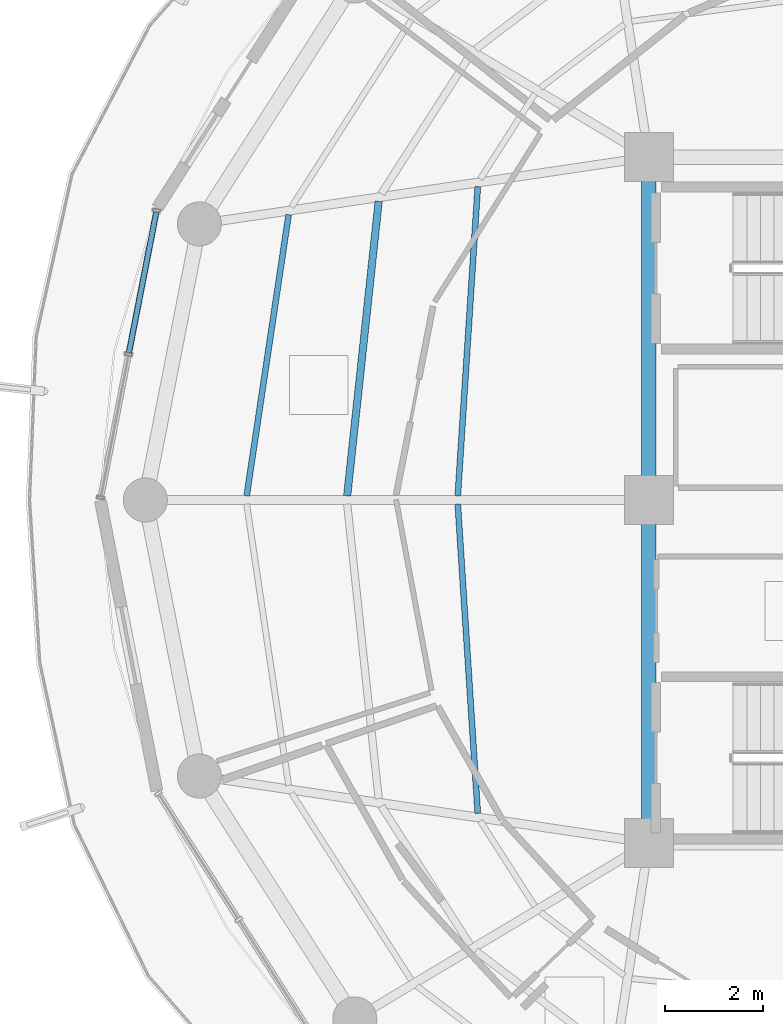
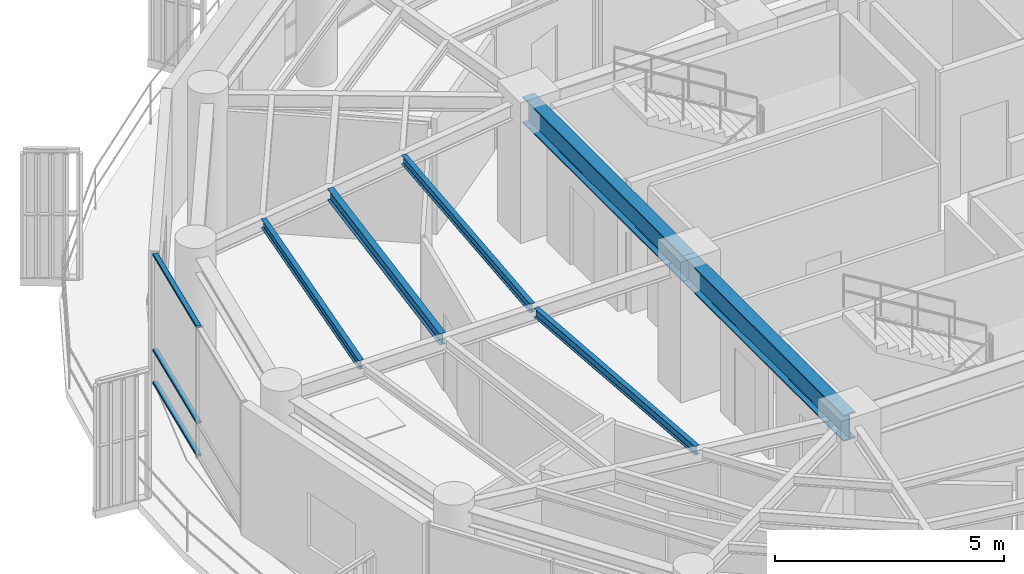
# One storey, part 6 of 22: 6 beams, 3 members, 1 element without a shape of its own.
"""IFC4 building model written with IfcOpenShell, lengths in metres."""

from ifc_helpers import new_model, si_unit, direction, frame, origin, origin_2d, place, context, subcontext, project, spatial, hollow_rectangle, i_section, extrude, material, layer, layer_set, material_profile, profile_set, type_object, element, aggregate, save


model = new_model("IFC4")

# Units and contexts
model_context = context("Model", 3, precision=1e-05, world=origin(), true_north=direction((0.0, 1.0)))
body_context = subcontext(model_context, "Body", "Model", "MODEL_VIEW")
ifc_project = project(units=[si_unit("LENGTHUNIT", "METRE"), si_unit("AREAUNIT", "SQUARE_METRE"), si_unit("VOLUMEUNIT", "CUBIC_METRE"), si_unit("PLANEANGLEUNIT", "RADIAN"), si_unit("MASSUNIT", "GRAM", prefix="KILO")], contexts=[model_context])

# Site, building, storey
site_placement = place(None, origin())
site = spatial("IfcSite", under=ifc_project, at=site_placement, CompositionType="ELEMENT")
building_placement = place(site_placement, origin())
building = spatial("IfcBuilding", under=site, at=building_placement, Name="Kelanora Arch Commons", CompositionType="ELEMENT")
storey_placement = place(building_placement, frame((0.0, 0.0, 274.949951171875)))
storey = spatial("IfcBuildingStorey", under=building, at=storey_placement, Name="L70", CompositionType="ELEMENT", Elevation=274.949951171875)

# Beams
ifc_material_1 = material(Name="Steel S355", Category="steel")
ifc_material_profile_1 = material_profile(ifc_material_1, i_section(OverallWidth=0.300048828125, OverallDepth=0.699951171875, WebThickness=0.01708984375, FlangeThickness=0.031982421875, FilletRadius=0.027099609375, at=origin_2d()), Name="HEB700")
ifc_profile_set_1 = profile_set([ifc_material_profile_1], Name="Steel S355")
beam_type_1 = type_object("IfcBeamType", Name="BM-CORE-HDR", PredefinedType="BEAM", material=ifc_profile_set_1)
for number, where, z_axis, x_axis, name in (
    (1, (66.0, 65.0, 3.14013671875), (0.0, -1.0, 0.0), (1.0, 0.0, 0.0), "Core Header Beam 08 L70"),
    (2, (66.0, 58.0, 3.14013671875), (0.0, -1.0, 0.0), (1.0, 0.0, 0.0), "Core Header Beam 09 L70"),
):
    element("IfcBeam", number, at=place(storey_placement, frame(where, z_axis=z_axis, x_axis=x_axis)), inside=storey, type_object=beam_type_1, Name=name, PredefinedType="BEAM", context=body_context, shape_type="SweptSolid", body=[
        extrude(i_section(OverallWidth=0.300048828125, OverallDepth=0.699951171875, WebThickness=0.01708984375, FlangeThickness=0.031982421875, FilletRadius=0.027099609375, at=origin_2d()), origin(), (0.0, 0.0, 1.0), 7.0),
    ])
ifc_material_profile_2 = material_profile(ifc_material_1, i_section(OverallWidth=0.14990234375, OverallDepth=0.300048828125, WebThickness=0.007080078125, FlangeThickness=0.0107421875, FilletRadius=0.014892578125, at=origin_2d()), Name="IPE300")
ifc_profile_set_2 = profile_set([ifc_material_profile_2], Name="Steel S355")
beam_type_2 = type_object("IfcBeamType", Name="BM-JST-01", PredefinedType="JOIST", material=ifc_profile_set_2)
beam_1_placement = place(storey_placement, frame((60.484375, 64.097412109375, 3.340087890625), z_axis=(-0.106380594087, -0.994325484538, 0.0), x_axis=(0.994325484538, -0.106380594087, 0.0)))
element("IfcBeam", 3, at=beam_1_placement, inside=storey, type_object=beam_type_2, Name="Secondary Chord Joist BJB-16 L70", PredefinedType="JOIST", context=body_context, shape_type="SweptSolid", body=[
    extrude(i_section(OverallWidth=0.14990234375, OverallDepth=0.300048828125, WebThickness=0.007080078125, FlangeThickness=0.0107421875, FilletRadius=0.014892578125, at=origin_2d()), origin(), (0.0, 0.0, 1.0), 6.04736328125),
])
ifc_material_profile_3 = material_profile(ifc_material_1, i_section(OverallWidth=0.1201171875, OverallDepth=0.239990234375, WebThickness=0.006103515625, FlangeThickness=0.009765625, FilletRadius=0.014892578125, at=origin_2d()), Name="IPE240")
ifc_profile_set_3 = profile_set([ifc_material_profile_3], Name="Steel S355")
beam_type_3 = type_object("IfcBeamType", Name="BM-JST-02", PredefinedType="JOIST", material=ifc_profile_set_3)
beam_2_placement = place(storey_placement, frame((62.507080078125, 64.39697265625, 3.3701171875), z_axis=(-0.064495107978, -0.99791802321, 0.0), x_axis=(0.99791802321, -0.064495107978, 0.0)))
element("IfcBeam", 4, at=beam_2_placement, inside=storey, type_object=beam_type_3, Name="Secondary Chord Joist BJA-16 L70", PredefinedType="JOIST", context=body_context, shape_type="SweptSolid", body=[
    extrude(i_section(OverallWidth=0.1201171875, OverallDepth=0.239990234375, WebThickness=0.006103515625, FlangeThickness=0.009765625, FilletRadius=0.014892578125, at=origin_2d()), origin(), (0.0, 0.0, 1.0), 6.325439453125),
])
beam_3_placement = place(storey_placement, frame((58.6455078125, 63.8251953125, 3.3701171875), z_axis=(-0.14762470282, -0.989043450571, 0.0), x_axis=(0.989043450571, -0.14762470282, 0.0)))
element("IfcBeam", 5, at=beam_3_placement, inside=storey, type_object=beam_type_3, Name="Secondary Chord Joist BJC-16 L70", PredefinedType="JOIST", context=body_context, shape_type="SweptSolid", body=[
    extrude(i_section(OverallWidth=0.1201171875, OverallDepth=0.239990234375, WebThickness=0.006103515625, FlangeThickness=0.009765625, FilletRadius=0.014892578125, at=origin_2d()), origin(), (0.0, 0.0, 1.0), 5.804931640625),
])
beam_4_placement = place(storey_placement, frame((62.09912109375, 57.915283203125, 3.3701171875), z_axis=(0.064495107978, -0.99791802321, 0.0), x_axis=(0.99791802321, 0.064495107978, 0.0)))
element("IfcBeam", 6, at=beam_4_placement, inside=storey, type_object=beam_type_3, Name="Secondary Chord Joist BJA-18 L70", PredefinedType="JOIST", context=body_context, shape_type="SweptSolid", body=[
    extrude(i_section(OverallWidth=0.1201171875, OverallDepth=0.239990234375, WebThickness=0.006103515625, FlangeThickness=0.009765625, FilletRadius=0.014892578125, at=origin_2d()), origin(), (0.0, 0.0, 1.0), 6.325439453125),
])

# Curtain wall, members
ifc_material_2 = material(Name="Terracotta ceramic-fritted low-E glass and aluminium", Category="masonry")
ifc_layer = layer(ifc_material_2, 0.18994140625)
ifc_layer_set = layer_set([ifc_layer], Name="Terracotta ceramic-fritted low-E glass and aluminium")
curtain_wall_type = type_object("IfcCurtainWallType", Name="CW-SYS-03", PredefinedType="NOTDEFINED", material=ifc_layer_set)
curtain_wall_placement = place(storey_placement, origin())
curtain_wall = element("IfcCurtainWall", 7, at=curtain_wall_placement, inside=storey, type_object=curtain_wall_type, Name="Unitised Curtain Wall L70-B08", PredefinedType="NOTDEFINED")
ifc_material_3 = material(Name="Powder-coated aluminium terracotta", Category="masonry")
ifc_material_profile_4 = material_profile(ifc_material_3, hollow_rectangle(XDim=0.1201171875, YDim=0.06005859375, WallThickness=0.0048828125, InnerFilletRadius=0.0048828125, OuterFilletRadius=0.010009765625, at=origin_2d()), Name="CWT120x60")
ifc_profile_set_4 = profile_set([ifc_material_profile_4], Name="Powder-coated aluminium terracotta")
member_type = type_object("IfcMemberType", Name="CWT-STD", PredefinedType="USERDEFINED", material=ifc_profile_set_4)
member_1_placement = place(storey_placement, frame((55.943603515625, 63.877685546875, 0.030029296875), z_axis=(-0.190963443354, -0.981597149192, 0.0), x_axis=(0.981597149192, -0.190963443354, 0.0)))
member_1 = element("IfcMember", 8, at=member_1_placement, type_object=member_type, Name="CW-03 transom 1.1", ObjectType="TRANSOM", PredefinedType="USERDEFINED", context=body_context, shape_type="SweptSolid", body=[
    extrude(hollow_rectangle(XDim=0.1201171875, YDim=0.06005859375, WallThickness=0.0048828125, InnerFilletRadius=0.0048828125, OuterFilletRadius=0.010009765625, at=origin_2d()), origin(), (0.0, 0.0, 1.0), 2.926513671875),
])
member_2_placement = place(storey_placement, frame((55.943603515625, 63.877685546875, 0.900146484375), z_axis=(-0.190963443354, -0.981597149192, 0.0), x_axis=(0.981597149192, -0.190963443354, 0.0)))
member_2 = element("IfcMember", 9, at=member_2_placement, type_object=member_type, Name="CW-03 transom 1.2", ObjectType="TRANSOM", PredefinedType="USERDEFINED", context=body_context, shape_type="SweptSolid", body=[
    extrude(hollow_rectangle(XDim=0.1201171875, YDim=0.06005859375, WallThickness=0.0048828125, InnerFilletRadius=0.0048828125, OuterFilletRadius=0.010009765625, at=origin_2d()), origin(), (0.0, 0.0, 1.0), 2.926513671875),
])
member_3_placement = place(storey_placement, frame((55.943603515625, 63.877685546875, 3.445068359375), z_axis=(-0.190963443354, -0.981597149192, 0.0), x_axis=(0.981597149192, -0.190963443354, 0.0)))
member_3 = element("IfcMember", 10, at=member_3_placement, type_object=member_type, Name="CW-03 transom 1.3", ObjectType="TRANSOM", PredefinedType="USERDEFINED", context=body_context, shape_type="SweptSolid", body=[
    extrude(hollow_rectangle(XDim=0.1201171875, YDim=0.06005859375, WallThickness=0.0048828125, InnerFilletRadius=0.0048828125, OuterFilletRadius=0.010009765625, at=origin_2d()), origin(), (0.0, 0.0, 1.0), 2.926513671875),
])
aggregate(curtain_wall, [member_1, member_2, member_3])

save(model, "model.ifc")
